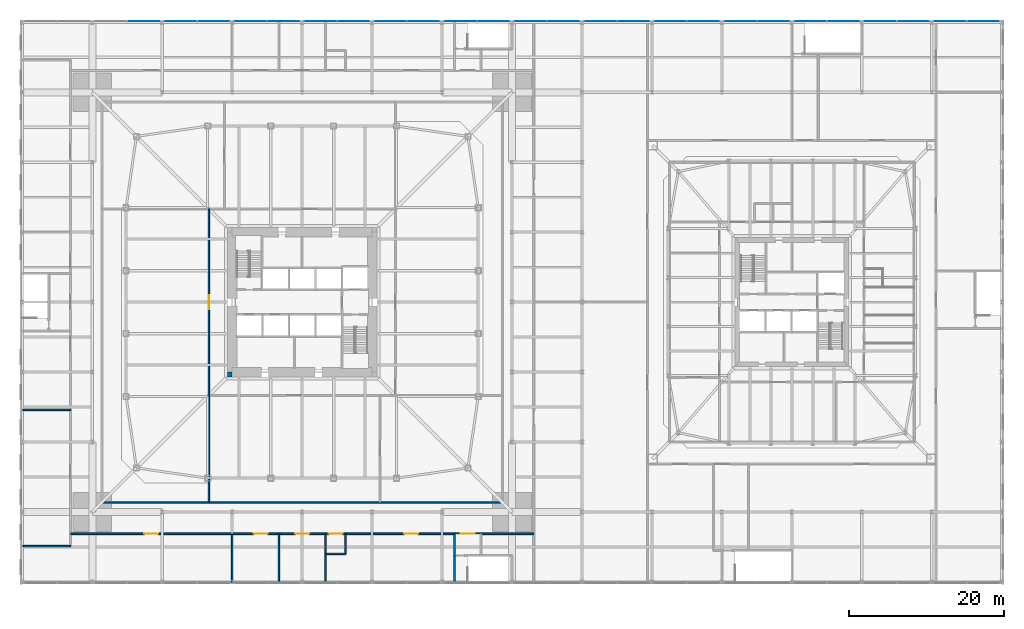
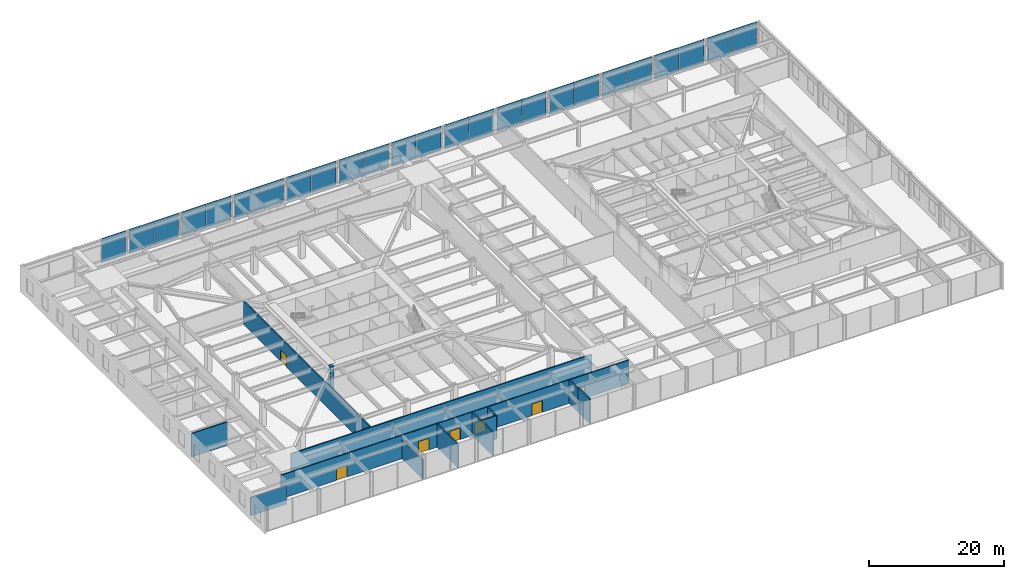
# One storey, part 19 of 30: 25 plates, 13 walls, 7 doors, 7 openings, 13 elements without a shape of their own.
"""IFC4 building model written with IfcOpenShell, lengths in metres."""

from ifc_helpers import new_model, si_unit, direction, frame, frame_2d, origin, origin_2d, place, context, subcontext, project, spatial, rectangle, extrude, material, layer, layer_set, type_object, element, fill, aggregate, save


model = new_model("IFC4")

# Units and contexts
model_context = context("Model", 3, precision=1e-05, world=origin(), true_north=direction((0.0, 1.0)))
body_context = subcontext(model_context, "Body", "Model", "MODEL_VIEW")
ifc_project = project(units=[si_unit("LENGTHUNIT", "METRE"), si_unit("AREAUNIT", "SQUARE_METRE"), si_unit("VOLUMEUNIT", "CUBIC_METRE"), si_unit("PLANEANGLEUNIT", "RADIAN"), si_unit("MASSUNIT", "GRAM", prefix="KILO")], contexts=[model_context])

# Site, building, storey
site_placement = place(None, origin())
site = spatial("IfcSite", under=ifc_project, at=site_placement, CompositionType="ELEMENT")
building_placement = place(site_placement, origin())
building = spatial("IfcBuilding", under=site, at=building_placement, Name="Iwan Alto Co-Living Towers", CompositionType="ELEMENT")
storey_placement = place(building_placement, frame((0.0, 0.0, 10.5)))
storey = spatial("IfcBuildingStorey", under=building, at=storey_placement, Name="L02", CompositionType="ELEMENT", Elevation=10.5)

# Curtain wall, plate
ifc_material_1 = material(Name="Bronze aluminium stick frame", Category="aluminium")
curtain_wall_type = type_object("IfcCurtainWallType", Name="CURTAIN WALL CW-E", PredefinedType="NOTDEFINED", material=ifc_material_1)
curtain_wall_1_placement = place(storey_placement, origin())
curtain_wall_1 = element("IfcCurtainWall", 1, at=curtain_wall_1_placement, inside=storey, type_object=curtain_wall_type, Name="Podium curtain wall N L02", PredefinedType="NOTDEFINED")
ifc_material_2 = material(Name="Bronze-tinted insulating glass", Category="glass")
ifc_layer_1 = layer(ifc_material_2, 0.031982421875)
ifc_layer_set_1 = layer_set([ifc_layer_1], Name="CW-E PANEL TINTED IGU 32")
plate_type = type_object("IfcPlateType", Name="CW-E PANEL TINTED IGU 32", PredefinedType="CURTAIN_PANEL", material=ifc_layer_set_1)
plate_1_placement = place(storey_placement, frame((-20.372802734375, 36.14990234375, 0.10009765625), z_axis=(0.0, 0.0, 1.0), x_axis=(-1.0, 0.0, 0.0)))
plate_1 = element("IfcPlate", 2, at=plate_1_placement, type_object=plate_type, Name="CW-E panel 1.1", PredefinedType="CURTAIN_PANEL", context=body_context, shape_type="SweptSolid", body=[
    extrude(rectangle(XDim=4.17431640625, YDim=0.031982421875, at=origin_2d()), origin(), (0.0, 0.0, 1.0), 4.39990234375),
])
aggregate(curtain_wall_1, [plate_1])

# Curtain wall, plates
curtain_wall_2_placement = place(storey_placement, origin())
curtain_wall_2 = element("IfcCurtainWall", 3, at=curtain_wall_2_placement, inside=storey, type_object=curtain_wall_type, Name="Podium curtain wall N L02", PredefinedType="NOTDEFINED")
plate_2_placement = place(storey_placement, frame((-11.372802734375, 36.14990234375, 0.10009765625), z_axis=(0.0, 0.0, 1.0), x_axis=(-1.0, 0.0, 0.0)))
plate_2 = element("IfcPlate", 4, at=plate_2_placement, type_object=plate_type, Name="CW-E panel 1.1", PredefinedType="CURTAIN_PANEL", context=body_context, shape_type="SweptSolid", body=[
    extrude(rectangle(XDim=4.17431640625, YDim=0.031982421875, at=origin_2d()), origin(), (0.0, 0.0, 1.0), 4.39990234375),
])
plate_3_placement = place(storey_placement, frame((-15.627197265625, 36.14990234375, 0.10009765625), z_axis=(0.0, 0.0, 1.0), x_axis=(-1.0, 0.0, 0.0)))
plate_3 = element("IfcPlate", 5, at=plate_3_placement, type_object=plate_type, Name="CW-E panel 2.1", PredefinedType="CURTAIN_PANEL", context=body_context, shape_type="SweptSolid", body=[
    extrude(rectangle(XDim=4.17431640625, YDim=0.031982421875, at=origin_2d()), origin(), (0.0, 0.0, 1.0), 4.39990234375),
])
aggregate(curtain_wall_2, [plate_2, plate_3])

curtain_wall_3_placement = place(storey_placement, origin())
curtain_wall_3 = element("IfcCurtainWall", 6, at=curtain_wall_3_placement, inside=storey, type_object=curtain_wall_type, Name="Podium curtain wall N L02", PredefinedType="NOTDEFINED")
plate_4_placement = place(storey_placement, frame((-2.372802734375, 36.14990234375, 0.10009765625), z_axis=(0.0, 0.0, 1.0), x_axis=(-1.0, 0.0, 0.0)))
plate_4 = element("IfcPlate", 7, at=plate_4_placement, type_object=plate_type, Name="CW-E panel 1.1", PredefinedType="CURTAIN_PANEL", context=body_context, shape_type="SweptSolid", body=[
    extrude(rectangle(XDim=4.17431640625, YDim=0.031982421875, at=origin_2d()), origin(), (0.0, 0.0, 1.0), 4.39990234375),
])
plate_5_placement = place(storey_placement, frame((-6.627197265625, 36.14990234375, 0.10009765625), z_axis=(0.0, 0.0, 1.0), x_axis=(-1.0, 0.0, 0.0)))
plate_5 = element("IfcPlate", 8, at=plate_5_placement, type_object=plate_type, Name="CW-E panel 2.1", PredefinedType="CURTAIN_PANEL", context=body_context, shape_type="SweptSolid", body=[
    extrude(rectangle(XDim=4.17431640625, YDim=0.031982421875, at=origin_2d()), origin(), (0.0, 0.0, 1.0), 4.39990234375),
])
aggregate(curtain_wall_3, [plate_4, plate_5])

curtain_wall_4_placement = place(storey_placement, origin())
curtain_wall_4 = element("IfcCurtainWall", 9, at=curtain_wall_4_placement, inside=storey, type_object=curtain_wall_type, Name="Podium curtain wall N L02", PredefinedType="NOTDEFINED")
plate_6_placement = place(storey_placement, frame((6.627197265625, 36.14990234375, 0.10009765625), z_axis=(0.0, 0.0, 1.0), x_axis=(-1.0, 0.0, 0.0)))
plate_6 = element("IfcPlate", 10, at=plate_6_placement, type_object=plate_type, Name="CW-E panel 1.1", PredefinedType="CURTAIN_PANEL", context=body_context, shape_type="SweptSolid", body=[
    extrude(rectangle(XDim=4.17431640625, YDim=0.031982421875, at=origin_2d()), origin(), (0.0, 0.0, 1.0), 4.39990234375),
])
plate_7_placement = place(storey_placement, frame((2.372802734375, 36.14990234375, 0.10009765625), z_axis=(0.0, 0.0, 1.0), x_axis=(-1.0, 0.0, 0.0)))
plate_7 = element("IfcPlate", 11, at=plate_7_placement, type_object=plate_type, Name="CW-E panel 2.1", PredefinedType="CURTAIN_PANEL", context=body_context, shape_type="SweptSolid", body=[
    extrude(rectangle(XDim=4.17431640625, YDim=0.031982421875, at=origin_2d()), origin(), (0.0, 0.0, 1.0), 4.39990234375),
])
aggregate(curtain_wall_4, [plate_6, plate_7])

curtain_wall_5_placement = place(storey_placement, origin())
curtain_wall_5 = element("IfcCurtainWall", 12, at=curtain_wall_5_placement, inside=storey, type_object=curtain_wall_type, Name="Podium curtain wall N L02", PredefinedType="NOTDEFINED")
plate_8_placement = place(storey_placement, frame((15.627197265625, 36.14990234375, 0.10009765625), z_axis=(0.0, 0.0, 1.0), x_axis=(-1.0, 0.0, 0.0)))
plate_8 = element("IfcPlate", 13, at=plate_8_placement, type_object=plate_type, Name="CW-E panel 1.1", PredefinedType="CURTAIN_PANEL", context=body_context, shape_type="SweptSolid", body=[
    extrude(rectangle(XDim=4.17431640625, YDim=0.031982421875, at=origin_2d()), origin(), (0.0, 0.0, 1.0), 4.39990234375),
])
plate_9_placement = place(storey_placement, frame((11.372802734375, 36.14990234375, 0.10009765625), z_axis=(0.0, 0.0, 1.0), x_axis=(-1.0, 0.0, 0.0)))
plate_9 = element("IfcPlate", 14, at=plate_9_placement, type_object=plate_type, Name="CW-E panel 2.1", PredefinedType="CURTAIN_PANEL", context=body_context, shape_type="SweptSolid", body=[
    extrude(rectangle(XDim=4.17431640625, YDim=0.031982421875, at=origin_2d()), origin(), (0.0, 0.0, 1.0), 4.39990234375),
])
aggregate(curtain_wall_5, [plate_8, plate_9])

curtain_wall_6_placement = place(storey_placement, origin())
curtain_wall_6 = element("IfcCurtainWall", 15, at=curtain_wall_6_placement, inside=storey, type_object=curtain_wall_type, Name="Podium curtain wall N L02", PredefinedType="NOTDEFINED")
plate_10_placement = place(storey_placement, frame((24.627197265625, 36.14990234375, 0.10009765625), z_axis=(0.0, 0.0, 1.0), x_axis=(-1.0, 0.0, 0.0)))
plate_10 = element("IfcPlate", 16, at=plate_10_placement, type_object=plate_type, Name="CW-E panel 1.1", PredefinedType="CURTAIN_PANEL", context=body_context, shape_type="SweptSolid", body=[
    extrude(rectangle(XDim=4.17431640625, YDim=0.031982421875, at=origin_2d()), origin(), (0.0, 0.0, 1.0), 4.39990234375),
])
plate_11_placement = place(storey_placement, frame((20.372802734375, 36.14990234375, 0.10009765625), z_axis=(0.0, 0.0, 1.0), x_axis=(-1.0, 0.0, 0.0)))
plate_11 = element("IfcPlate", 17, at=plate_11_placement, type_object=plate_type, Name="CW-E panel 2.1", PredefinedType="CURTAIN_PANEL", context=body_context, shape_type="SweptSolid", body=[
    extrude(rectangle(XDim=4.17431640625, YDim=0.031982421875, at=origin_2d()), origin(), (0.0, 0.0, 1.0), 4.39990234375),
])
aggregate(curtain_wall_6, [plate_10, plate_11])

curtain_wall_7_placement = place(storey_placement, origin())
curtain_wall_7 = element("IfcCurtainWall", 18, at=curtain_wall_7_placement, inside=storey, type_object=curtain_wall_type, Name="Podium curtain wall N L02", PredefinedType="NOTDEFINED")
plate_12_placement = place(storey_placement, frame((33.627197265625, 36.14990234375, 0.10009765625), z_axis=(0.0, 0.0, 1.0), x_axis=(-1.0, 0.0, 0.0)))
plate_12 = element("IfcPlate", 19, at=plate_12_placement, type_object=plate_type, Name="CW-E panel 1.1", PredefinedType="CURTAIN_PANEL", context=body_context, shape_type="SweptSolid", body=[
    extrude(rectangle(XDim=4.17431640625, YDim=0.031982421875, at=origin_2d()), origin(), (0.0, 0.0, 1.0), 4.39990234375),
])
plate_13_placement = place(storey_placement, frame((29.372802734375, 36.14990234375, 0.10009765625), z_axis=(0.0, 0.0, 1.0), x_axis=(-1.0, 0.0, 0.0)))
plate_13 = element("IfcPlate", 20, at=plate_13_placement, type_object=plate_type, Name="CW-E panel 2.1", PredefinedType="CURTAIN_PANEL", context=body_context, shape_type="SweptSolid", body=[
    extrude(rectangle(XDim=4.17431640625, YDim=0.031982421875, at=origin_2d()), origin(), (0.0, 0.0, 1.0), 4.39990234375),
])
aggregate(curtain_wall_7, [plate_12, plate_13])

curtain_wall_8_placement = place(storey_placement, origin())
curtain_wall_8 = element("IfcCurtainWall", 21, at=curtain_wall_8_placement, inside=storey, type_object=curtain_wall_type, Name="Podium curtain wall N L02", PredefinedType="NOTDEFINED")
plate_14_placement = place(storey_placement, frame((42.627197265625, 36.14990234375, 0.10009765625), z_axis=(0.0, 0.0, 1.0), x_axis=(-1.0, 0.0, 0.0)))
plate_14 = element("IfcPlate", 22, at=plate_14_placement, type_object=plate_type, Name="CW-E panel 1.1", PredefinedType="CURTAIN_PANEL", context=body_context, shape_type="SweptSolid", body=[
    extrude(rectangle(XDim=4.17431640625, YDim=0.031982421875, at=origin_2d()), origin(), (0.0, 0.0, 1.0), 4.39990234375),
])
plate_15_placement = place(storey_placement, frame((38.372802734375, 36.14990234375, 0.10009765625), z_axis=(0.0, 0.0, 1.0), x_axis=(-1.0, 0.0, 0.0)))
plate_15 = element("IfcPlate", 23, at=plate_15_placement, type_object=plate_type, Name="CW-E panel 2.1", PredefinedType="CURTAIN_PANEL", context=body_context, shape_type="SweptSolid", body=[
    extrude(rectangle(XDim=4.17431640625, YDim=0.031982421875, at=origin_2d()), origin(), (0.0, 0.0, 1.0), 4.39990234375),
])
aggregate(curtain_wall_8, [plate_14, plate_15])

curtain_wall_9_placement = place(storey_placement, origin())
curtain_wall_9 = element("IfcCurtainWall", 24, at=curtain_wall_9_placement, inside=storey, type_object=curtain_wall_type, Name="Podium curtain wall N L02", PredefinedType="NOTDEFINED")
plate_16_placement = place(storey_placement, frame((51.627197265625, 36.14990234375, 0.10009765625), z_axis=(0.0, 0.0, 1.0), x_axis=(-1.0, 0.0, 0.0)))
plate_16 = element("IfcPlate", 25, at=plate_16_placement, type_object=plate_type, Name="CW-E panel 1.1", PredefinedType="CURTAIN_PANEL", context=body_context, shape_type="SweptSolid", body=[
    extrude(rectangle(XDim=4.17431640625, YDim=0.031982421875, at=origin_2d()), origin(), (0.0, 0.0, 1.0), 4.39990234375),
])
plate_17_placement = place(storey_placement, frame((47.372802734375, 36.14990234375, 0.10009765625), z_axis=(0.0, 0.0, 1.0), x_axis=(-1.0, 0.0, 0.0)))
plate_17 = element("IfcPlate", 26, at=plate_17_placement, type_object=plate_type, Name="CW-E panel 2.1", PredefinedType="CURTAIN_PANEL", context=body_context, shape_type="SweptSolid", body=[
    extrude(rectangle(XDim=4.17431640625, YDim=0.031982421875, at=origin_2d()), origin(), (0.0, 0.0, 1.0), 4.39990234375),
])
aggregate(curtain_wall_9, [plate_16, plate_17])

curtain_wall_10_placement = place(storey_placement, origin())
curtain_wall_10 = element("IfcCurtainWall", 27, at=curtain_wall_10_placement, inside=storey, type_object=curtain_wall_type, Name="Podium curtain wall N L02", PredefinedType="NOTDEFINED")
plate_18_placement = place(storey_placement, frame((60.627197265625, 36.14990234375, 0.10009765625), z_axis=(0.0, 0.0, 1.0), x_axis=(-1.0, 0.0, 0.0)))
plate_18 = element("IfcPlate", 28, at=plate_18_placement, type_object=plate_type, Name="CW-E panel 1.1", PredefinedType="CURTAIN_PANEL", context=body_context, shape_type="SweptSolid", body=[
    extrude(rectangle(XDim=4.17431640625, YDim=0.031982421875, at=origin_2d()), origin(), (0.0, 0.0, 1.0), 4.39990234375),
])
plate_19_placement = place(storey_placement, frame((56.372802734375, 36.14990234375, 0.10009765625), z_axis=(0.0, 0.0, 1.0), x_axis=(-1.0, 0.0, 0.0)))
plate_19 = element("IfcPlate", 29, at=plate_19_placement, type_object=plate_type, Name="CW-E panel 2.1", PredefinedType="CURTAIN_PANEL", context=body_context, shape_type="SweptSolid", body=[
    extrude(rectangle(XDim=4.17431640625, YDim=0.031982421875, at=origin_2d()), origin(), (0.0, 0.0, 1.0), 4.39990234375),
])
aggregate(curtain_wall_10, [plate_18, plate_19])

curtain_wall_11_placement = place(storey_placement, origin())
curtain_wall_11 = element("IfcCurtainWall", 30, at=curtain_wall_11_placement, inside=storey, type_object=curtain_wall_type, Name="Podium curtain wall N L02", PredefinedType="NOTDEFINED")
plate_20_placement = place(storey_placement, frame((69.627197265625, 36.14990234375, 0.10009765625), z_axis=(0.0, 0.0, 1.0), x_axis=(-1.0, 0.0, 0.0)))
plate_20 = element("IfcPlate", 31, at=plate_20_placement, type_object=plate_type, Name="CW-E panel 1.1", PredefinedType="CURTAIN_PANEL", context=body_context, shape_type="SweptSolid", body=[
    extrude(rectangle(XDim=4.17431640625, YDim=0.031982421875, at=origin_2d()), origin(), (0.0, 0.0, 1.0), 4.39990234375),
])
plate_21_placement = place(storey_placement, frame((65.372802734375, 36.14990234375, 0.10009765625), z_axis=(0.0, 0.0, 1.0), x_axis=(-1.0, 0.0, 0.0)))
plate_21 = element("IfcPlate", 32, at=plate_21_placement, type_object=plate_type, Name="CW-E panel 2.1", PredefinedType="CURTAIN_PANEL", context=body_context, shape_type="SweptSolid", body=[
    extrude(rectangle(XDim=4.17431640625, YDim=0.031982421875, at=origin_2d()), origin(), (0.0, 0.0, 1.0), 4.39990234375),
])
aggregate(curtain_wall_11, [plate_20, plate_21])

curtain_wall_12_placement = place(storey_placement, origin())
curtain_wall_12 = element("IfcCurtainWall", 33, at=curtain_wall_12_placement, inside=storey, type_object=curtain_wall_type, Name="Podium curtain wall N L02", PredefinedType="NOTDEFINED")
plate_22_placement = place(storey_placement, frame((78.627197265625, 36.14990234375, 0.10009765625), z_axis=(0.0, 0.0, 1.0), x_axis=(-1.0, 0.0, 0.0)))
plate_22 = element("IfcPlate", 34, at=plate_22_placement, type_object=plate_type, Name="CW-E panel 1.1", PredefinedType="CURTAIN_PANEL", context=body_context, shape_type="SweptSolid", body=[
    extrude(rectangle(XDim=4.17431640625, YDim=0.031982421875, at=origin_2d()), origin(), (0.0, 0.0, 1.0), 4.39990234375),
])
plate_23_placement = place(storey_placement, frame((74.372802734375, 36.14990234375, 0.10009765625), z_axis=(0.0, 0.0, 1.0), x_axis=(-1.0, 0.0, 0.0)))
plate_23 = element("IfcPlate", 35, at=plate_23_placement, type_object=plate_type, Name="CW-E panel 2.1", PredefinedType="CURTAIN_PANEL", context=body_context, shape_type="SweptSolid", body=[
    extrude(rectangle(XDim=4.17431640625, YDim=0.031982421875, at=origin_2d()), origin(), (0.0, 0.0, 1.0), 4.39990234375),
])
aggregate(curtain_wall_12, [plate_22, plate_23])

curtain_wall_13_placement = place(storey_placement, origin())
curtain_wall_13 = element("IfcCurtainWall", 36, at=curtain_wall_13_placement, inside=storey, type_object=curtain_wall_type, Name="Podium curtain wall N L02", PredefinedType="NOTDEFINED")
plate_24_placement = place(storey_placement, frame((87.627197265625, 36.14990234375, 0.10009765625), z_axis=(0.0, 0.0, 1.0), x_axis=(-1.0, 0.0, 0.0)))
plate_24 = element("IfcPlate", 37, at=plate_24_placement, type_object=plate_type, Name="CW-E panel 1.1", PredefinedType="CURTAIN_PANEL", context=body_context, shape_type="SweptSolid", body=[
    extrude(rectangle(XDim=4.17431640625, YDim=0.031982421875, at=origin_2d()), origin(), (0.0, 0.0, 1.0), 4.39990234375),
])
plate_25_placement = place(storey_placement, frame((83.372802734375, 36.14990234375, 0.10009765625), z_axis=(0.0, 0.0, 1.0), x_axis=(-1.0, 0.0, 0.0)))
plate_25 = element("IfcPlate", 38, at=plate_25_placement, type_object=plate_type, Name="CW-E panel 2.1", PredefinedType="CURTAIN_PANEL", context=body_context, shape_type="SweptSolid", body=[
    extrude(rectangle(XDim=4.17431640625, YDim=0.031982421875, at=origin_2d()), origin(), (0.0, 0.0, 1.0), 4.39990234375),
])
aggregate(curtain_wall_13, [plate_24, plate_25])

# Walls
ifc_material_3 = material(Name="Concrete block masonry f*p 10 MPa", Category="masonry")
ifc_layer_2 = layer(ifc_material_3, 0.199951171875)
ifc_layer_set_2 = layer_set([ifc_layer_2], Name="PODIUM INTERNAL WALL 200")
wall_type_1 = type_object("IfcWallType", Name="PODIUM INTERNAL WALL 200", PredefinedType="SOLIDWALL", material=ifc_layer_set_2)
wall_1_placement = place(storey_placement, frame((3.0, -32.39990234375, 0.0), z_axis=(0.0, 0.0, 1.0), x_axis=(1.0, 0.0, 0.0)))
element("IfcWall", 39, at=wall_1_placement, inside=storey, type_object=wall_type_1, Name="Partition L02", PredefinedType="SOLIDWALL", context=body_context, shape_type="SweptSolid", body=[
    extrude(rectangle(XDim=2.60009765625, YDim=0.199951171875, at=frame_2d((1.300048828125, 0.0))), origin(), (0.0, 0.0, 1.0), 4.25),
])
wall_2_placement = place(storey_placement, frame((-35.93994140625, -31.39990234375, 0.0), z_axis=(0.0, 0.0, 1.0), x_axis=(1.0, 0.0, 0.0)))
element("IfcWall", 40, at=wall_2_placement, inside=storey, type_object=wall_type_1, Name="Partition L02", PredefinedType="SOLIDWALL", context=body_context, shape_type="SweptSolid", body=[
    extrude(rectangle(XDim=6.139892578125, YDim=0.199951171875, at=frame_2d((3.06982421875, 0.0))), origin(), (0.0, 0.0, 1.0), 3.322998046875),
])

# Wall, openings, doors
wall_3_placement = place(storey_placement, frame((-29.800048828125, -29.800048828125, 0.0), z_axis=(0.0, 0.0, 1.0), x_axis=(1.0, 0.0, 0.0)))
wall_3 = element("IfcWall", 41, at=wall_3_placement, inside=storey, type_object=wall_type_1, Name="Partition L02", PredefinedType="SOLIDWALL", context=body_context, shape_type="SweptSolid", body=[
    extrude(rectangle(XDim=59.60009765625, YDim=0.199951171875, at=frame_2d((29.800048828125, 0.0))), origin(), (0.0, 0.0, 1.0), 4.25),
])
opening_1_placement = place(wall_3_placement, frame((9.5, 0.0, 0.0)))
opening_1 = element("IfcOpeningElement", 42, at=opening_1_placement, cuts=wall_3, Name="Opening D9", PredefinedType="OPENING", context=body_context, shape_type="SweptSolid", body=[
    extrude(rectangle(XDim=1.800048828125, YDim=2.10009765625, at=frame_2d((0.89990234375, 1.050048828125))), frame((0.0, 0.10986328125, 0.0), z_axis=(0.0, -1.0, 0.0), x_axis=(1.0, 0.0, 0.0)), (0.0, 0.0, 1.0), 0.219970703125),
])
opening_2_placement = place(wall_3_placement, frame((23.550048828125, 0.0, 0.0)))
opening_2 = element("IfcOpeningElement", 43, at=opening_2_placement, cuts=wall_3, Name="Opening D9", PredefinedType="OPENING", context=body_context, shape_type="SweptSolid", body=[
    extrude(rectangle(XDim=1.800048828125, YDim=2.10009765625, at=frame_2d((0.89990234375, 1.050048828125))), frame((0.0, 0.10986328125, 0.0), z_axis=(0.0, -1.0, 0.0), x_axis=(1.0, 0.0, 0.0)), (0.0, 0.0, 1.0), 0.219970703125),
])
opening_3_placement = place(wall_3_placement, frame((28.89990234375, 0.0, 0.0)))
opening_3 = element("IfcOpeningElement", 44, at=opening_3_placement, cuts=wall_3, Name="Opening D9", PredefinedType="OPENING", context=body_context, shape_type="SweptSolid", body=[
    extrude(rectangle(XDim=1.800048828125, YDim=2.10009765625, at=frame_2d((0.89990234375, 1.050048828125))), frame((0.0, 0.10986328125, 0.0), z_axis=(0.0, -1.0, 0.0), x_axis=(1.0, 0.0, 0.0)), (0.0, 0.0, 1.0), 0.219970703125),
])
opening_4_placement = place(wall_3_placement, frame((33.199951171875, 0.0, 0.0)))
opening_4 = element("IfcOpeningElement", 45, at=opening_4_placement, cuts=wall_3, Name="Opening D9", PredefinedType="OPENING", context=body_context, shape_type="SweptSolid", body=[
    extrude(rectangle(XDim=1.800048828125, YDim=2.10009765625, at=frame_2d((0.89990234375, 1.050048828125))), frame((0.0, 0.10986328125, 0.0), z_axis=(0.0, -1.0, 0.0), x_axis=(1.0, 0.0, 0.0)), (0.0, 0.0, 1.0), 0.219970703125),
])
opening_5_placement = place(wall_3_placement, frame((42.949951171875, 0.0, 0.0)))
opening_5 = element("IfcOpeningElement", 46, at=opening_5_placement, cuts=wall_3, Name="Opening D9", PredefinedType="OPENING", context=body_context, shape_type="SweptSolid", body=[
    extrude(rectangle(XDim=1.800048828125, YDim=2.10009765625, at=frame_2d((0.89990234375, 1.050048828125))), frame((0.0, 0.10986328125, 0.0), z_axis=(0.0, -1.0, 0.0), x_axis=(1.0, 0.0, 0.0)), (0.0, 0.0, 1.0), 0.219970703125),
])
opening_6_placement = place(wall_3_placement, frame((50.199951171875, 0.0, 0.0)))
opening_6 = element("IfcOpeningElement", 47, at=opening_6_placement, cuts=wall_3, Name="Opening D9", PredefinedType="OPENING", context=body_context, shape_type="SweptSolid", body=[
    extrude(rectangle(XDim=1.800048828125, YDim=2.10009765625, at=frame_2d((0.89990234375, 1.050048828125))), frame((0.0, 0.10986328125, 0.0), z_axis=(0.0, -1.0, 0.0), x_axis=(1.0, 0.0, 0.0)), (0.0, 0.0, 1.0), 0.219970703125),
])
ifc_material_4 = material(Name="Steel frame with timber leaf", Category="steel")
door_type = type_object("IfcDoorType", Name="LOUNGE DOOR FD30S 1800X2100", OperationType="DOUBLE_DOOR_SINGLE_SWING", PredefinedType="DOOR", material=ifc_material_4)
door_1_placement = place(opening_1_placement, frame((1.800048828125, 0.0, 0.0), z_axis=(0.0, 0.0, 1.0), x_axis=(-1.0, 0.0, 0.0)))
door_1 = element("IfcDoor", 48, at=door_1_placement, inside=storey, type_object=door_type, Name="Plant room door L02", OperationType="DOUBLE_DOOR_SINGLE_SWING", OverallHeight=2.10009765625, OverallWidth=1.800048828125, PredefinedType="DOOR", context=body_context, shape_type="SweptSolid", body=[
    extrude(rectangle(XDim=1.800048828125, YDim=2.10009765625, at=frame_2d((0.89990234375, 1.050048828125))), frame((0.0, 0.02490234375, 0.0), z_axis=(0.0, -1.0, 0.0), x_axis=(1.0, 0.0, 0.0)), (0.0, 0.0, 1.0), 0.050048828125),
])
fill(opening_1, door_1)
door_2_placement = place(opening_2_placement, frame((1.800048828125, 0.0, 0.0), z_axis=(0.0, 0.0, 1.0), x_axis=(-1.0, 0.0, 0.0)))
door_2 = element("IfcDoor", 49, at=door_2_placement, inside=storey, type_object=door_type, Name="Women's toilets door L02", OperationType="DOUBLE_DOOR_SINGLE_SWING", OverallHeight=2.10009765625, OverallWidth=1.800048828125, PredefinedType="DOOR", context=body_context, shape_type="SweptSolid", body=[
    extrude(rectangle(XDim=1.800048828125, YDim=2.10009765625, at=frame_2d((0.89990234375, 1.050048828125))), frame((0.0, 0.02490234375, 0.0), z_axis=(0.0, -1.0, 0.0), x_axis=(1.0, 0.0, 0.0)), (0.0, 0.0, 1.0), 0.050048828125),
])
fill(opening_2, door_2)
door_3_placement = place(opening_3_placement, frame((1.800048828125, 0.0, 0.0), z_axis=(0.0, 0.0, 1.0), x_axis=(-1.0, 0.0, 0.0)))
door_3 = element("IfcDoor", 50, at=door_3_placement, inside=storey, type_object=door_type, Name="Men's toilets door L02", OperationType="DOUBLE_DOOR_SINGLE_SWING", OverallHeight=2.10009765625, OverallWidth=1.800048828125, PredefinedType="DOOR", context=body_context, shape_type="SweptSolid", body=[
    extrude(rectangle(XDim=1.800048828125, YDim=2.10009765625, at=frame_2d((0.89990234375, 1.050048828125))), frame((0.0, 0.02490234375, 0.0), z_axis=(0.0, -1.0, 0.0), x_axis=(1.0, 0.0, 0.0)), (0.0, 0.0, 1.0), 0.050048828125),
])
fill(opening_3, door_3)
door_4_placement = place(opening_4_placement, frame((1.800048828125, 0.0, 0.0), z_axis=(0.0, 0.0, 1.0), x_axis=(-1.0, 0.0, 0.0)))
door_4 = element("IfcDoor", 51, at=door_4_placement, inside=storey, type_object=door_type, Name="Accessible WC door L02", OperationType="DOUBLE_DOOR_SINGLE_SWING", OverallHeight=2.10009765625, OverallWidth=1.800048828125, PredefinedType="DOOR", context=body_context, shape_type="SweptSolid", body=[
    extrude(rectangle(XDim=1.800048828125, YDim=2.10009765625, at=frame_2d((0.89990234375, 1.050048828125))), frame((0.0, 0.02490234375, 0.0), z_axis=(0.0, -1.0, 0.0), x_axis=(1.0, 0.0, 0.0)), (0.0, 0.0, 1.0), 0.050048828125),
])
fill(opening_4, door_4)
door_5_placement = place(opening_5_placement, frame((1.800048828125, 0.0, 0.0), z_axis=(0.0, 0.0, 1.0), x_axis=(-1.0, 0.0, 0.0)))
door_5 = element("IfcDoor", 52, at=door_5_placement, inside=storey, type_object=door_type, Name="Store door L02", OperationType="DOUBLE_DOOR_SINGLE_SWING", OverallHeight=2.10009765625, OverallWidth=1.800048828125, PredefinedType="DOOR", context=body_context, shape_type="SweptSolid", body=[
    extrude(rectangle(XDim=1.800048828125, YDim=2.10009765625, at=frame_2d((0.89990234375, 1.050048828125))), frame((0.0, 0.02490234375, 0.0), z_axis=(0.0, -1.0, 0.0), x_axis=(1.0, 0.0, 0.0)), (0.0, 0.0, 1.0), 0.050048828125),
])
fill(opening_5, door_5)
door_6_placement = place(opening_6_placement, frame((1.800048828125, 0.0, 0.0), z_axis=(0.0, 0.0, 1.0), x_axis=(-1.0, 0.0, 0.0)))
door_6 = element("IfcDoor", 53, at=door_6_placement, inside=storey, type_object=door_type, Name="Stair lobby door L02", OperationType="DOUBLE_DOOR_SINGLE_SWING", OverallHeight=2.10009765625, OverallWidth=1.800048828125, PredefinedType="DOOR", context=body_context, shape_type="SweptSolid", body=[
    extrude(rectangle(XDim=1.800048828125, YDim=2.10009765625, at=frame_2d((0.89990234375, 1.050048828125))), frame((0.0, 0.02490234375, 0.0), z_axis=(0.0, -1.0, 0.0), x_axis=(1.0, 0.0, 0.0)), (0.0, 0.0, 1.0), 0.050048828125),
])
fill(opening_6, door_6)

# Walls
wall_4_placement = place(storey_placement, frame((-25.75, -25.75, 0.0), z_axis=(0.0, 0.0, 1.0), x_axis=(1.0, 0.0, 0.0)))
element("IfcWall", 54, at=wall_4_placement, inside=storey, type_object=wall_type_1, Name="Partition L02", PredefinedType="SOLIDWALL", context=body_context, shape_type="SweptSolid", body=[
    extrude(rectangle(XDim=51.5, YDim=0.199951171875, at=frame_2d((25.75, 0.0))), origin(), (0.0, 0.0, 1.0), 4.25),
])
wall_5_placement = place(storey_placement, frame((-35.93994140625, -13.85009765625, 0.0), z_axis=(0.0, 0.0, 1.0), x_axis=(1.0, 0.0, 0.0)))
element("IfcWall", 55, at=wall_5_placement, inside=storey, type_object=wall_type_1, Name="Partition L02", PredefinedType="SOLIDWALL", context=body_context, shape_type="SweptSolid", body=[
    extrude(rectangle(XDim=6.139892578125, YDim=0.199951171875, at=frame_2d((3.06982421875, 0.0))), origin(), (0.0, 0.0, 1.0), 4.25),
])
wall_6_placement = place(storey_placement, frame((19.60009765625, -32.60009765625, 0.0), z_axis=(0.0, 0.0, 1.0), x_axis=(0.0, 1.0, 0.0)))
element("IfcWall", 56, at=wall_6_placement, inside=storey, type_object=wall_type_1, Name="Partition L02", PredefinedType="SOLIDWALL", context=body_context, shape_type="SweptSolid", body=[
    extrude(rectangle(XDim=2.800048828125, YDim=0.199951171875, at=frame_2d((1.39990234375, 0.0))), origin(), (0.0, 0.0, 1.0), 4.25),
])
wall_7_placement = place(storey_placement, frame((5.60009765625, -32.39990234375, 0.0), z_axis=(0.0, 0.0, 1.0), x_axis=(0.0, 1.0, 0.0)))
element("IfcWall", 57, at=wall_7_placement, inside=storey, type_object=wall_type_1, Name="Partition L02", PredefinedType="SOLIDWALL", context=body_context, shape_type="SweptSolid", body=[
    extrude(rectangle(XDim=2.599853515625, YDim=0.199951171875, at=frame_2d((1.2998046875, 0.0))), origin(), (0.0, 0.0, 1.0), 4.25),
])
for number, where, z_axis, x_axis, name in (
    (58, (3.0, -36.050048828125, 0.0), (0.0, 0.0, 1.0), (0.0, 1.0, 0.0), "Partition L02"),
    (59, (-3.0, -36.050048828125, 0.0), (0.0, 0.0, 1.0), (0.0, 1.0, 0.0), "Partition L02"),
):
    element("IfcWall", number, at=place(storey_placement, frame(where, z_axis=z_axis, x_axis=x_axis)), inside=storey, type_object=wall_type_1, Name=name, PredefinedType="SOLIDWALL", context=body_context, shape_type="SweptSolid", body=[
        extrude(rectangle(XDim=6.25, YDim=0.199951171875, at=frame_2d((3.125, 0.0))), origin(), (0.0, 0.0, 1.0), 4.25),
    ])
wall_8_placement = place(storey_placement, frame((-9.0, -36.050048828125, 0.0), z_axis=(0.0, 0.0, 1.0), x_axis=(0.0, 1.0, 0.0)))
element("IfcWall", 60, at=wall_8_placement, inside=storey, type_object=wall_type_1, Name="Partition L02", PredefinedType="SOLIDWALL", context=body_context, shape_type="SweptSolid", body=[
    extrude(rectangle(XDim=6.25, YDim=0.199951171875, at=frame_2d((3.125, 0.0))), origin(), (0.0, 0.0, 1.0), 3.48046875),
])

# Wall, opening, door
wall_9_placement = place(storey_placement, frame((-12.0, -25.75, 0.0), z_axis=(0.0, 0.0, 1.0), x_axis=(0.0, 1.0, 0.0)))
wall_9 = element("IfcWall", 61, at=wall_9_placement, inside=storey, type_object=wall_type_1, Name="Partition L02", PredefinedType="SOLIDWALL", context=body_context, shape_type="SweptSolid", body=[
    extrude(rectangle(XDim=37.75, YDim=0.199951171875, at=frame_2d((18.875, 0.0))), origin(), (0.0, 0.0, 1.0), 4.25),
])
opening_7_placement = place(wall_9_placement, frame((24.85009765625, 0.0, 0.0)))
opening_7 = element("IfcOpeningElement", 62, at=opening_7_placement, cuts=wall_9, Name="Opening D9", PredefinedType="OPENING", context=body_context, shape_type="SweptSolid", body=[
    extrude(rectangle(XDim=1.800048828125, YDim=2.10009765625, at=frame_2d((0.89990234375, 1.050048828125))), frame((0.0, 0.10986328125, 0.0), z_axis=(0.0, -1.0, 0.0), x_axis=(1.0, 0.0, 0.0)), (0.0, 0.0, 1.0), 0.219970703125),
])
door_7_placement = place(opening_7_placement, origin())
door_7 = element("IfcDoor", 63, at=door_7_placement, inside=storey, type_object=door_type, Name="Games room door L02", OperationType="DOUBLE_DOOR_SINGLE_SWING", OverallHeight=2.10009765625, OverallWidth=1.800048828125, PredefinedType="DOOR", context=body_context, shape_type="SweptSolid", body=[
    extrude(rectangle(XDim=1.800048828125, YDim=2.10009765625, at=frame_2d((0.89990234375, 1.050048828125))), frame((0.0, 0.02490234375, 0.0), z_axis=(0.0, -1.0, 0.0), x_axis=(1.0, 0.0, 0.0)), (0.0, 0.0, 1.0), 0.050048828125),
])
fill(opening_7, door_7)

# Walls
ifc_material_5 = material(Name="Concrete f'c 70 MPa", Category="concrete")
ifc_layer_3 = layer(ifc_material_5, 0.199951171875)
ifc_layer_set_3 = layer_set([ifc_layer_3], Name="SHAFT WALL 200")
wall_type_2 = type_object("IfcWallType", Name="SHAFT WALL 200", PredefinedType="SOLIDWALL", material=ifc_layer_set_3)
wall_10_placement = place(storey_placement, frame((19.60009765625, -36.050048828125, 0.0), z_axis=(0.0, 0.0, 1.0), x_axis=(0.0, 1.0, 0.0)))
element("IfcWall", 64, at=wall_10_placement, inside=storey, type_object=wall_type_2, Name="Shaft wall L02", PredefinedType="SOLIDWALL", context=body_context, shape_type="SweptSolid", body=[
    extrude(rectangle(XDim=3.449951171875, YDim=0.199951171875, at=frame_2d((1.72509765625, 0.0))), origin(), (0.0, 0.0, 1.0), 4.5),
])
ifc_material_6 = material(Name="Concrete f'c 70 MPa", Category="concrete")
ifc_layer_4 = layer(ifc_material_6, 0.60009765625)
ifc_layer_set_4 = layer_set([ifc_layer_4], Name="T1 CORE CORNER FILL 600")
wall_type_3 = type_object("IfcWallType", Name="T1 CORE CORNER FILL 600", PredefinedType="SOLIDWALL", material=ifc_layer_set_4)
wall_11_placement = place(storey_placement, frame((-9.60009765625, -9.300048828125, 0.0), z_axis=(0.0, 0.0, 1.0), x_axis=(1.0, 0.0, 0.0)))
element("IfcWall", 65, at=wall_11_placement, inside=storey, type_object=wall_type_3, Name="T1 core corner SW L02", PredefinedType="SOLIDWALL", context=body_context, shape_type="SweptSolid", body=[
    extrude(rectangle(XDim=0.60009765625, YDim=0.60009765625, at=frame_2d((0.300048828125, 0.0))), origin(), (0.0, 0.0, 1.0), 4.5),
])

save(model, "model.ifc")
